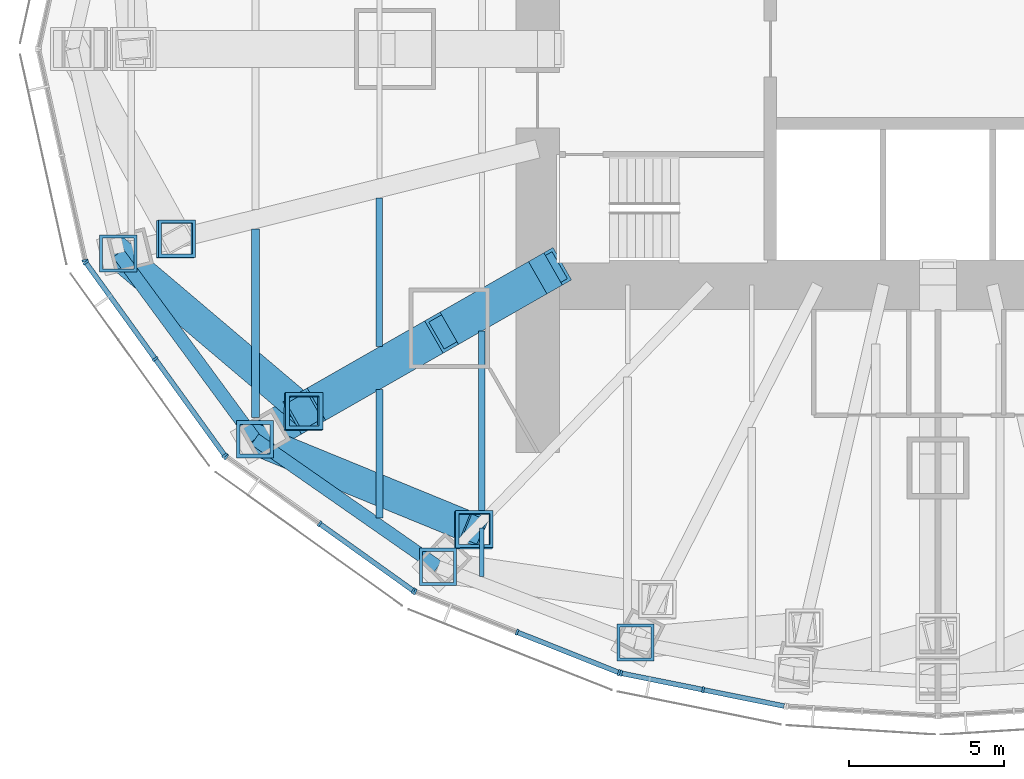
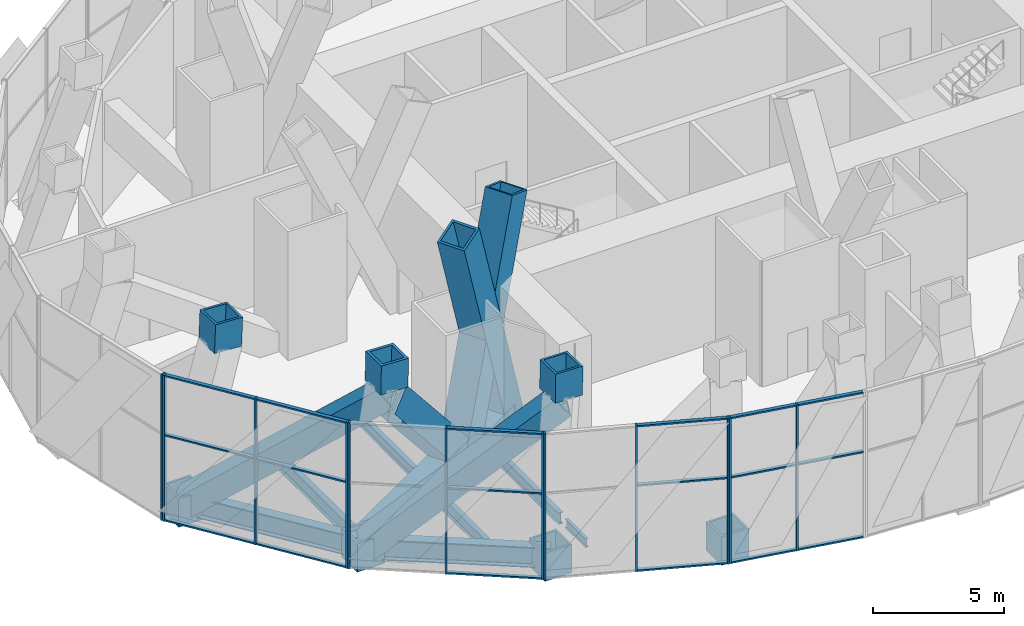
# One storey, part 2 of 19: 42 members, 9 beams, 5 elements without a shape of their own.
"""IFC4 building model written with IfcOpenShell, lengths in metres."""

import ifcopenshell
import ifcopenshell.guid

model = None  # the IFC model being written
_history = None  # IfcOwnerHistory: only IFC2X3 demands one
_inside = {}  # id of a spatial element -> (the spatial element, [elements in it])
_under = {}  # id of a project, library or spatial element -> (it, [spatial elements below it])
_declared = {}  # id of a project -> (the project, [libraries it declares])
_typed = {}  # id of a type object -> (the type object, [elements of that type])
_made_of = {}  # id of a material, layer set ... -> (it, [elements and type objects made of it])


def new_model(schema):
    """Start an empty IFC model of exactly this schema.

    Asked for "IFC4X3", IfcOpenShell would pick the latest addendum, in which some entities
    have other attributes; the version numbers below select the first issue.
    IFC2X3 requires an IfcOwnerHistory on every rooted entity: one is made here for all.
    """
    global model, _history
    if schema == "IFC4X3":
        model = ifcopenshell.file(schema_version=(4, 3, 0, 0))
    else:
        model = ifcopenshell.file(schema=schema)
    _inside.clear()
    _under.clear()
    _declared.clear()
    _typed.clear()
    _made_of.clear()
    _history = None
    if model.schema == "IFC2X3":
        org = make("IfcOrganization", Name="unknown")
        user = make(
            "IfcPersonAndOrganization",
            ThePerson=make("IfcPerson", FamilyName="unknown"),
            TheOrganization=org,
        )
        app = make(
            "IfcApplication",
            ApplicationDeveloper=org,
            Version="unknown",
            ApplicationFullName="unknown",
            ApplicationIdentifier="unknown",
        )
        _history = make(
            "IfcOwnerHistory",
            OwningUser=user,
            OwningApplication=app,
            ChangeAction="ADDED",
            CreationDate=0,
        )
    return model


def make(cls, **values):
    """One entity of the class cls with the attributes given. An attribute that is None is left unset."""
    return model.create_entity(
        cls, **{name: value for name, value in values.items() if value is not None}
    )


def rooted(cls, **values):
    """An entity with a GlobalId (a new one), such as an element, a storey or a relation."""
    return make(cls, GlobalId=ifcopenshell.guid.new(), OwnerHistory=_history, **values)


def si_unit(unit_type, name, prefix=None):
    """IfcSIUnit, for example si_unit("LENGTHUNIT", "METRE", prefix="MILLI")."""
    return make("IfcSIUnit", UnitType=unit_type, Prefix=prefix, Name=name)


def assignment(units):
    """IfcUnitAssignment: the units of a project."""
    return None if units is None else make("IfcUnitAssignment", Units=units)


def point(xyz):
    """IfcCartesianPoint."""
    return None if xyz is None else make("IfcCartesianPoint", Coordinates=xyz)


def direction(xyz):
    """IfcDirection."""
    return None if xyz is None else make("IfcDirection", DirectionRatios=xyz)


def frame(location, z_axis=None, x_axis=None):
    """IfcAxis2Placement3D, a coordinate frame: its origin and axes. An axis left out is left unset."""
    return make(
        "IfcAxis2Placement3D",
        Location=point(location),
        Axis=direction(z_axis),
        RefDirection=direction(x_axis),
    )


def frame_2d(location, x_axis=None):
    """IfcAxis2Placement2D, a coordinate frame in the plane: its origin and x axis."""
    return make(
        "IfcAxis2Placement2D", Location=point(location), RefDirection=direction(x_axis)
    )


def origin():
    """The frame at (0, 0, 0) with its axes left unset."""
    return frame((0.0, 0.0, 0.0))


def origin_2d():
    """The frame at (0, 0) in the plane with its x axis left unset."""
    return frame_2d((0.0, 0.0))


def place(relative_to, where):
    """IfcLocalPlacement: puts the frame where relative to a parent placement (None: the world)."""
    return make(
        "IfcLocalPlacement", PlacementRelTo=relative_to, RelativePlacement=where
    )


def context(
    kind, dimensions, precision=None, world=None, true_north=None, identifier=None
):
    """IfcGeometricRepresentationContext, for example the 3D "Model" context."""
    return make(
        "IfcGeometricRepresentationContext",
        ContextIdentifier=identifier,
        ContextType=kind,
        CoordinateSpaceDimension=dimensions,
        Precision=precision,
        WorldCoordinateSystem=world,
        TrueNorth=true_north,
    )


def subcontext(parent, identifier, kind, view, scale=None):
    """IfcGeometricRepresentationSubContext, for example "Body" below "Model"."""
    return make(
        "IfcGeometricRepresentationSubContext",
        ContextIdentifier=identifier,
        ContextType=kind,
        ParentContext=parent,
        TargetScale=scale,
        TargetView=view,
    )


def project(units=None, contexts=None):
    """IfcProject with its units and contexts."""
    return rooted(
        "IfcProject",
        Name="project",
        RepresentationContexts=contexts,
        UnitsInContext=assignment(units),
    )


def spatial(cls, under=None, at=None, **own):
    """A site, building, storey or space (cls), placed at a placement, below another one or the project."""
    s = rooted(cls, ObjectPlacement=at, **own)
    if under is not None:
        _under.setdefault(under.id(), (under, []))[1].append(s)
    return s


def profile(cls, at=None, kind="AREA", **sizes):
    """A parametric profile (cls). Its sizes go by their IFC names, for example OverallWidth=200.0."""
    return make(cls, ProfileType=kind, Position=at, **sizes)


def rectangle(**sizes):
    """IfcRectangleProfileDef."""
    return profile("IfcRectangleProfileDef", **sizes)


def hollow_rectangle(**sizes):
    """IfcRectangleHollowProfileDef."""
    return profile("IfcRectangleHollowProfileDef", **sizes)


def i_section(**sizes):
    """IfcIShapeProfileDef."""
    return profile("IfcIShapeProfileDef", **sizes)


def extrude(swept, where, along, depth):
    """IfcExtrudedAreaSolid: the profile swept, set in the frame where, extruded along a direction by depth."""
    return make(
        "IfcExtrudedAreaSolid",
        SweptArea=swept,
        Position=where,
        ExtrudedDirection=direction(along),
        Depth=depth,
    )


def shape(context_of_items, identifier, shape_type, items):
    """IfcShapeRepresentation: the items that make up one representation, for example the "Body"."""
    return make(
        "IfcShapeRepresentation",
        ContextOfItems=context_of_items,
        RepresentationIdentifier=identifier,
        RepresentationType=shape_type,
        Items=items,
    )


def material(Name=None, Category=None):
    """IfcMaterial."""
    return make("IfcMaterial", Name=Name, Category=Category)


def material_profile(
    of_material, cross_section, Name=None, Category=None, Priority=None
):
    """IfcMaterialProfile: a cross section and its material."""
    return make(
        "IfcMaterialProfile",
        Name=Name,
        Material=of_material,
        Profile=cross_section,
        Priority=Priority,
        Category=Category,
    )


def profile_set(profiles, Name=None, composite=None):
    """IfcMaterialProfileSet."""
    return make(
        "IfcMaterialProfileSet",
        Name=Name,
        MaterialProfiles=profiles,
        CompositeProfile=composite,
    )


def made_of(thing, what):
    """Note that an element or type object is made of a material, layer set ...; save() writes the relation."""
    if what is not None:
        _made_of.setdefault(what.id(), (what, []))[1].append(thing)
    return thing


def type_object(cls, material=None, **own):
    """A type object (cls), such as IfcWallType, which elements share."""
    return made_of(rooted(cls, **own), material)


def element(
    cls,
    number,
    at=None,
    inside=None,
    cuts=None,
    type_object=None,
    material=None,
    context=None,
    identifier="Body",
    shape_type=None,
    held_by="IfcProductDefinitionShape",
    body=None,
    shapes=None,
    **own,
):
    """One element of the class cls, such as IfcWall. Its Tag is "e" and its number.

    at: its placement. inside: the storey or other place that contains it. cuts: it is an
    opening in that element (IfcRelVoidsElement). A single representation is given by context,
    identifier, shape_type and body (its items); several are given by shapes. held_by: the class
    of the entity that holds the representations. save() writes the other relations.
    """
    e = rooted(cls, Tag="e%d" % number, ObjectPlacement=at, **own)
    if body is not None:
        shapes = [shape(context, identifier, shape_type, body)]
    if shapes is not None:
        e.Representation = make(held_by, Representations=shapes)
    if inside is not None:
        _inside.setdefault(inside.id(), (inside, []))[1].append(e)
    if cuts is not None:
        rooted(
            "IfcRelVoidsElement", RelatingBuildingElement=cuts, RelatedOpeningElement=e
        )
    if type_object is not None:
        _typed.setdefault(type_object.id(), (type_object, []))[1].append(e)
    return made_of(e, material)


def aggregate(whole, parts):
    """IfcRelAggregates: a whole, such as a stair, and the parts it consists of."""
    return rooted("IfcRelAggregates", RelatingObject=whole, RelatedObjects=parts)


def save(model, path):
    """Write the relations noted so far, then the file.

    IfcRelAggregates (storeys below a building ...), IfcRelContainedInSpatialStructure (elements
    in a storey), IfcRelDefinesByType, IfcRelAssociatesMaterial and IfcRelDeclares: one each for
    every whole, place, type object, material and project.
    """
    for whole, parts in _under.values():
        aggregate(whole, parts)
    for where, things in _inside.values():
        rooted(
            "IfcRelContainedInSpatialStructure",
            RelatedElements=things,
            RelatingStructure=where,
        )
    for kind, things in _typed.values():
        rooted("IfcRelDefinesByType", RelatedObjects=things, RelatingType=kind)
    for what, things in _made_of.values():
        rooted("IfcRelAssociatesMaterial", RelatedObjects=things, RelatingMaterial=what)
    for by, libraries in _declared.values():
        rooted("IfcRelDeclares", RelatingContext=by, RelatedDefinitions=libraries)
    model.write(path)


model = new_model("IFC4")

# Units and contexts
model_context = context("Model", 3, precision=1e-05, world=origin(), true_north=direction((0.0, 1.0)))
body_context = subcontext(model_context, "Body", "Model", "MODEL_VIEW")
ifc_project = project(units=[si_unit("LENGTHUNIT", "METRE"), si_unit("AREAUNIT", "SQUARE_METRE"), si_unit("VOLUMEUNIT", "CUBIC_METRE"), si_unit("PLANEANGLEUNIT", "RADIAN"), si_unit("MASSUNIT", "GRAM", prefix="KILO")], contexts=[model_context])

# Site, building, storey
site_placement = place(None, origin())
site = spatial("IfcSite", under=ifc_project, at=site_placement, CompositionType="ELEMENT")
building_placement = place(site_placement, origin())
building = spatial("IfcBuilding", under=site, at=building_placement, Name="Lantaw Convention Tower", CompositionType="ELEMENT")
storey_placement = place(building_placement, frame((0.0, 0.0, 193.0)))
storey = spatial("IfcBuildingStorey", under=building, at=storey_placement, Name="L45", CompositionType="ELEMENT", Elevation=193.0)

# Beams
ifc_material_1 = material(Name="Steel ASTM A992", Category="steel")
ifc_material_profile_1 = material_profile(ifc_material_1, i_section(OverallWidth=0.424072265625, OverallDepth=0.947509765625, WebThickness=0.02392578125, FlangeThickness=0.042724609375, FilletRadius=0.012451171875, at=origin_2d()), Name="W36X302")
ifc_profile_set_1 = profile_set([ifc_material_profile_1], Name="Steel ASTM A992")
beam_type_1 = type_object("IfcBeamType", Name="Beam BC W36X302", PredefinedType="SPANDREL", material=ifc_profile_set_1)
beam_1_placement = place(storey_placement, frame((-26.419921875, -6.587158203125, -0.673828125), z_axis=(0.5923891972, -0.805651934176, 0.0), x_axis=(0.805651934176, 0.5923891972, 0.0)))
element("IfcBeam", 1, at=beam_1_placement, inside=storey, type_object=beam_type_1, Name="Belt truss chord 14", PredefinedType="SPANDREL", context=body_context, shape_type="SweptSolid", body=[
    extrude(i_section(OverallWidth=0.424072265625, OverallDepth=0.947509765625, WebThickness=0.02392578125, FlangeThickness=0.042724609375, FilletRadius=0.012451171875, at=origin_2d()), origin(), (0.0, 0.0, 1.0), 7.437744140625),
])
beam_2_placement = place(storey_placement, frame((-22.013916015625, -12.579345703125, -0.673828125), z_axis=(0.820310765287, -0.57191804339, 0.0), x_axis=(0.57191804339, 0.820310765287, 0.0)))
element("IfcBeam", 2, at=beam_2_placement, inside=storey, type_object=beam_type_1, Name="Belt truss chord 15", PredefinedType="SPANDREL", context=body_context, shape_type="SweptSolid", body=[
    extrude(i_section(OverallWidth=0.424072265625, OverallDepth=0.947509765625, WebThickness=0.02392578125, FlangeThickness=0.042724609375, FilletRadius=0.012451171875, at=origin_2d()), origin(), (0.0, 0.0, 1.0), 7.187744140625),
])
ifc_material_2 = material(Name="Steel EN 10025-3 S460N", Category="steel")
ifc_material_profile_2 = material_profile(ifc_material_2, hollow_rectangle(XDim=1.199951171875, YDim=1.199951171875, WallThickness=0.10009765625, at=origin_2d()), Name="BOX1200X100")
ifc_profile_set_2 = profile_set([ifc_material_profile_2], Name="Steel EN 10025-3 S460N")
beam_type_2 = type_object("IfcBeamType", Name="Beam G BOX1200X100", PredefinedType="BEAM", material=ifc_profile_set_2)
beam_3_placement = place(storey_placement, frame((-15.75, -9.0, -0.800048828125), z_axis=(-0.868245224608, -0.496135293993, 0.0), x_axis=(0.496135293993, -0.868245224608, 0.0)))
element("IfcBeam", 3, at=beam_3_placement, inside=storey, type_object=beam_type_2, Name="Floor girder on ray 15", PredefinedType="BEAM", context=body_context, shape_type="SweptSolid", body=[
    extrude(hollow_rectangle(XDim=1.199951171875, YDim=1.199951171875, WallThickness=0.10009765625, at=origin_2d()), origin(), (0.0, 0.0, 1.0), 7.21435546875),
])
ifc_material_profile_3 = material_profile(ifc_material_1, i_section(OverallWidth=0.140380859375, OverallDepth=0.40380859375, WebThickness=0.007080078125, FlangeThickness=0.01123046875, FilletRadius=0.01025390625, at=origin_2d()), Name="W16X31")
ifc_profile_set_3 = profile_set([ifc_material_profile_3], Name="Steel ASTM A992")
beam_type_3 = type_object("IfcBeamType", Name="Beam J W16X31", PredefinedType="JOIST", material=ifc_profile_set_3)
beam_4_placement = place(storey_placement, frame((-14.699951171875, -17.0068359375, -0.40185546875), z_axis=(0.0, 1.0, 0.0), x_axis=(-1.0, 0.0, 0.0)))
element("IfcBeam", 4, at=beam_4_placement, inside=storey, type_object=beam_type_3, Name="Floor joist", PredefinedType="JOIST", context=body_context, shape_type="SweptSolid", body=[
    extrude(i_section(OverallWidth=0.140380859375, OverallDepth=0.40380859375, WebThickness=0.007080078125, FlangeThickness=0.01123046875, FilletRadius=0.01025390625, at=origin_2d()), origin(), (0.0, 0.0, 1.0), 1.563232421875),
])
ifc_material_profile_4 = material_profile(ifc_material_1, i_section(OverallWidth=0.2099609375, OverallDepth=0.535888671875, WebThickness=0.010986328125, FlangeThickness=0.017333984375, FilletRadius=0.012939453125, at=origin_2d()), Name="W21X68")
ifc_profile_set_4 = profile_set([ifc_material_profile_4], Name="Steel ASTM A992")
beam_type_4 = type_object("IfcBeamType", Name="Beam J W21X68", PredefinedType="JOIST", material=ifc_profile_set_4)
beam_5_placement = place(storey_placement, frame((-18.0, -9.5947265625, -0.468017578125), z_axis=(0.0, 1.0, 0.0), x_axis=(-1.0, 0.0, 0.0)))
element("IfcBeam", 5, at=beam_5_placement, inside=storey, type_object=beam_type_4, Name="Floor joist", PredefinedType="JOIST", context=body_context, shape_type="SweptSolid", body=[
    extrude(i_section(OverallWidth=0.2099609375, OverallDepth=0.535888671875, WebThickness=0.010986328125, FlangeThickness=0.017333984375, FilletRadius=0.012939453125, at=origin_2d()), origin(), (0.0, 0.0, 1.0), 4.797607421875),
])
beam_6_placement = place(storey_placement, frame((-14.699951171875, -15.0009765625, -0.468017578125), z_axis=(0.0, 1.0, 0.0), x_axis=(-1.0, 0.0, 0.0)))
element("IfcBeam", 6, at=beam_6_placement, inside=storey, type_object=beam_type_4, Name="Floor joist", PredefinedType="JOIST", context=body_context, shape_type="SweptSolid", body=[
    extrude(i_section(OverallWidth=0.2099609375, OverallDepth=0.535888671875, WebThickness=0.010986328125, FlangeThickness=0.017333984375, FilletRadius=0.012939453125, at=origin_2d()), origin(), (0.0, 0.0, 1.0), 5.909912109375),
])
ifc_material_profile_5 = material_profile(ifc_material_1, i_section(OverallWidth=0.227783203125, OverallDepth=0.60205078125, WebThickness=0.010498046875, FlangeThickness=0.014892578125, FilletRadius=0.012939453125, at=origin_2d()), Name="W24X68")
ifc_profile_set_5 = profile_set([ifc_material_profile_5], Name="Steel ASTM A992")
beam_type_5 = type_object("IfcBeamType", Name="Beam J W24X68", PredefinedType="JOIST", material=ifc_profile_set_5)
beam_7_placement = place(storey_placement, frame((-18.0, -15.119384765625, -0.5009765625), z_axis=(0.0, 1.0, 0.0), x_axis=(-1.0, 0.0, 0.0)))
element("IfcBeam", 7, at=beam_7_placement, inside=storey, type_object=beam_type_5, Name="Floor joist", PredefinedType="JOIST", context=body_context, shape_type="SweptSolid", body=[
    extrude(i_section(OverallWidth=0.227783203125, OverallDepth=0.60205078125, WebThickness=0.010498046875, FlangeThickness=0.014892578125, FilletRadius=0.012939453125, at=origin_2d()), origin(), (0.0, 0.0, 1.0), 4.142578125),
])
ifc_material_profile_6 = material_profile(ifc_material_1, i_section(OverallWidth=0.25390625, OverallDepth=0.683349609375, WebThickness=0.012451171875, FlangeThickness=0.01904296875, FilletRadius=0.01513671875, at=origin_2d()), Name="W27X94")
ifc_profile_set_6 = profile_set([ifc_material_profile_6], Name="Steel ASTM A992")
beam_type_6 = type_object("IfcBeamType", Name="Beam J W27X94", PredefinedType="JOIST", material=ifc_profile_set_6)
beam_8_placement = place(storey_placement, frame((-22.0, -11.88037109375, -0.541748046875), z_axis=(0.0, 1.0, 0.0), x_axis=(-1.0, 0.0, 0.0)))
element("IfcBeam", 8, at=beam_8_placement, inside=storey, type_object=beam_type_6, Name="Floor joist", PredefinedType="JOIST", context=body_context, shape_type="SweptSolid", body=[
    extrude(i_section(OverallWidth=0.25390625, OverallDepth=0.683349609375, WebThickness=0.012451171875, FlangeThickness=0.01904296875, FilletRadius=0.01513671875, at=origin_2d()), origin(), (0.0, 0.0, 1.0), 6.0859375),
])
ifc_material_profile_7 = material_profile(ifc_material_2, hollow_rectangle(XDim=1.199951171875, YDim=1.199951171875, WallThickness=0.10009765625, at=origin_2d()), Name="BOX1200X100")
ifc_profile_set_7 = profile_set([ifc_material_profile_7], Name="Steel EN 10025-3 S460N")
beam_type_7 = type_object("IfcBeamType", Name="Beam OC BOX1200X100", PredefinedType="BEAM", material=ifc_profile_set_7)
beam_9_placement = place(storey_placement, frame((-12.89990234375, -7.371337890625, -0.800048828125), z_axis=(-0.868238565244, -0.496146947811, 0.0), x_axis=(0.496146947811, -0.868238565244, 0.0)))
element("IfcBeam", 9, at=beam_9_placement, inside=storey, type_object=beam_type_7, Name="Outrigger chord on ray 15", PredefinedType="BEAM", context=body_context, shape_type="SweptSolid", body=[
    extrude(hollow_rectangle(XDim=1.199951171875, YDim=1.199951171875, WallThickness=0.10009765625, at=origin_2d()), origin(), (0.0, 0.0, 1.0), 3.28271484375),
])

# Curtain wall, member
ifc_material_3 = material(Name="Aluminium framed curtain wall", Category="aluminium")
curtain_wall_type = type_object("IfcCurtainWallType", Name="Plant floor louvre wall, pale aluminium", PredefinedType="USERDEFINED", material=ifc_material_3)
curtain_wall_1_placement = place(storey_placement, origin())
curtain_wall_1 = element("IfcCurtainWall", 10, at=curtain_wall_1_placement, inside=storey, type_object=curtain_wall_type, Name="Plant floor louvre wall, pale aluminium L45", ObjectType="LOUVRE WALL", PredefinedType="USERDEFINED")
ifc_material_4 = material(Name="Aluminium 6063-T6", Category="aluminium")
ifc_material_profile_8 = material_profile(ifc_material_4, rectangle(XDim=0.199951171875, YDim=0.070068359375, at=origin_2d()), Name="CW-LV mullion 70x200")
ifc_profile_set_8 = profile_set([ifc_material_profile_8], Name="Aluminium 6063-T6")
member_type_1 = type_object("IfcMemberType", Name="CW-LV mullion 70x200", PredefinedType="MULLION", material=ifc_profile_set_8)
member_1_placement = place(storey_placement, frame((-27.494873046875, -6.819091796875, -1.0), z_axis=(0.0, 0.0, 1.0), x_axis=(0.9764936509, 0.215546166174, 0.0)))
member_1 = element("IfcMember", 11, at=member_1_placement, type_object=member_type_1, Name="CW-LV mullion 3", PredefinedType="MULLION", context=body_context, shape_type="SweptSolid", body=[
    extrude(rectangle(XDim=0.199951171875, YDim=0.070068359375, at=origin_2d()), origin(), (0.0, 0.0, 1.0), 6.800048828125),
])
aggregate(curtain_wall_1, [member_1])

# Curtain wall, members
curtain_wall_2_placement = place(storey_placement, origin())
curtain_wall_2 = element("IfcCurtainWall", 12, at=curtain_wall_2_placement, inside=storey, type_object=curtain_wall_type, Name="Plant floor louvre wall, pale aluminium L45", ObjectType="LOUVRE WALL", PredefinedType="USERDEFINED")
member_2_placement = place(storey_placement, frame((-27.466796875, -6.8818359375, -1.0), z_axis=(0.0, 0.0, 1.0), x_axis=(0.811384633629, 0.584512597221, 0.0)))
member_2 = element("IfcMember", 13, at=member_2_placement, type_object=member_type_1, Name="CW-LV mullion 1", PredefinedType="MULLION", context=body_context, shape_type="SweptSolid", body=[
    extrude(rectangle(XDim=0.199951171875, YDim=0.070068359375, at=origin_2d()), origin(), (0.0, 0.0, 1.0), 6.800048828125),
])
member_3_placement = place(storey_placement, frame((-25.22802734375, -9.9892578125, -1.0), z_axis=(0.0, 0.0, 1.0), x_axis=(0.811384633629, 0.584512597221, 0.0)))
member_3 = element("IfcMember", 14, at=member_3_placement, type_object=member_type_1, Name="CW-LV mullion 2", PredefinedType="MULLION", context=body_context, shape_type="SweptSolid", body=[
    extrude(rectangle(XDim=0.199951171875, YDim=0.070068359375, at=origin_2d()), origin(), (0.0, 0.0, 1.0), 6.800048828125),
])
member_4_placement = place(storey_placement, frame((-22.989501953125, -13.0966796875, -1.0), z_axis=(0.0, 0.0, 1.0), x_axis=(0.811384633629, 0.584512597221, 0.0)))
member_4 = element("IfcMember", 15, at=member_4_placement, type_object=member_type_1, Name="CW-LV mullion 3", PredefinedType="MULLION", context=body_context, shape_type="SweptSolid", body=[
    extrude(rectangle(XDim=0.199951171875, YDim=0.070068359375, at=origin_2d()), origin(), (0.0, 0.0, 1.0), 6.800048828125),
])

curtain_wall_3_placement = place(storey_placement, origin())
curtain_wall_3 = element("IfcCurtainWall", 16, at=curtain_wall_3_placement, inside=storey, type_object=curtain_wall_type, Name="Plant floor louvre wall, pale aluminium L45", ObjectType="LOUVRE WALL", PredefinedType="USERDEFINED")
member_5_placement = place(storey_placement, frame((-22.940673828125, -13.1455078125, -1.0), z_axis=(0.0, 0.0, 1.0), x_axis=(0.581972695693, 0.813208325995, 0.0)))
member_5 = element("IfcMember", 17, at=member_5_placement, type_object=member_type_1, Name="CW-LV mullion 1", PredefinedType="MULLION", context=body_context, shape_type="SweptSolid", body=[
    extrude(rectangle(XDim=0.199951171875, YDim=0.070068359375, at=origin_2d()), origin(), (0.0, 0.0, 1.0), 6.800048828125),
])
member_6_placement = place(storey_placement, frame((-19.92529296875, -15.303466796875, -1.0), z_axis=(0.0, 0.0, 1.0), x_axis=(0.581972695693, 0.813208325995, 0.0)))
member_6 = element("IfcMember", 18, at=member_6_placement, type_object=member_type_1, Name="CW-LV mullion 2", PredefinedType="MULLION", context=body_context, shape_type="SweptSolid", body=[
    extrude(rectangle(XDim=0.199951171875, YDim=0.070068359375, at=origin_2d()), origin(), (0.0, 0.0, 1.0), 6.800048828125),
])
member_7_placement = place(storey_placement, frame((-16.91015625, -17.461181640625, -1.0), z_axis=(0.0, 0.0, 1.0), x_axis=(0.581972695693, 0.813208325995, 0.0)))
member_7 = element("IfcMember", 19, at=member_7_placement, type_object=member_type_1, Name="CW-LV mullion 3", PredefinedType="MULLION", context=body_context, shape_type="SweptSolid", body=[
    extrude(rectangle(XDim=0.199951171875, YDim=0.070068359375, at=origin_2d()), origin(), (0.0, 0.0, 1.0), 6.800048828125),
])

curtain_wall_4_placement = place(storey_placement, origin())
curtain_wall_4 = element("IfcCurtainWall", 20, at=curtain_wall_4_placement, inside=storey, type_object=curtain_wall_type, Name="Plant floor louvre wall, pale aluminium L45", ObjectType="LOUVRE WALL", PredefinedType="USERDEFINED")
member_8_placement = place(storey_placement, frame((-16.84912109375, -17.494384765625, -1.0), z_axis=(0.0, 0.0, 1.0), x_axis=(0.368701907483, 0.929547687544, 0.0)))
member_8 = element("IfcMember", 21, at=member_8_placement, type_object=member_type_1, Name="CW-LV mullion 1", PredefinedType="MULLION", context=body_context, shape_type="SweptSolid", body=[
    extrude(rectangle(XDim=0.199951171875, YDim=0.070068359375, at=origin_2d()), origin(), (0.0, 0.0, 1.0), 6.800048828125),
])
member_9_placement = place(storey_placement, frame((-13.56494140625, -18.797119140625, -1.0), z_axis=(0.0, 0.0, 1.0), x_axis=(0.368701907483, 0.929547687544, 0.0)))
member_9 = element("IfcMember", 22, at=member_9_placement, type_object=member_type_1, Name="CW-LV mullion 2", PredefinedType="MULLION", context=body_context, shape_type="SweptSolid", body=[
    extrude(rectangle(XDim=0.199951171875, YDim=0.070068359375, at=origin_2d()), origin(), (0.0, 0.0, 1.0), 6.800048828125),
])
member_10_placement = place(storey_placement, frame((-10.280517578125, -20.099853515625, -1.0), z_axis=(0.0, 0.0, 1.0), x_axis=(0.368701907483, 0.929547687544, 0.0)))
member_10 = element("IfcMember", 23, at=member_10_placement, type_object=member_type_1, Name="CW-LV mullion 3", PredefinedType="MULLION", context=body_context, shape_type="SweptSolid", body=[
    extrude(rectangle(XDim=0.199951171875, YDim=0.070068359375, at=origin_2d()), origin(), (0.0, 0.0, 1.0), 6.800048828125),
])

curtain_wall_5_placement = place(storey_placement, origin())
curtain_wall_5 = element("IfcCurtainWall", 24, at=curtain_wall_5_placement, inside=storey, type_object=curtain_wall_type, Name="Plant floor louvre wall, pale aluminium L45", ObjectType="LOUVRE WALL", PredefinedType="USERDEFINED")
member_11_placement = place(storey_placement, frame((-10.213623046875, -20.11962890625, -1.0), z_axis=(0.0, 0.0, 1.0), x_axis=(0.197506809659, 0.980301514912, 0.0)))
member_11 = element("IfcMember", 25, at=member_11_placement, type_object=member_type_1, Name="CW-LV mullion 1", PredefinedType="MULLION", context=body_context, shape_type="SweptSolid", body=[
    extrude(rectangle(XDim=0.199951171875, YDim=0.070068359375, at=origin_2d()), origin(), (0.0, 0.0, 1.0), 6.800048828125),
])
member_12_placement = place(storey_placement, frame((-7.5703125, -20.65234375, -1.0), z_axis=(0.0, 0.0, 1.0), x_axis=(0.197506809659, 0.980301514912, 0.0)))
member_12 = element("IfcMember", 26, at=member_12_placement, type_object=member_type_1, Name="CW-LV mullion 2", PredefinedType="MULLION", context=body_context, shape_type="SweptSolid", body=[
    extrude(rectangle(XDim=0.199951171875, YDim=0.070068359375, at=origin_2d()), origin(), (0.0, 0.0, 1.0), 6.800048828125),
])

# Member
ifc_material_profile_9 = material_profile(ifc_material_4, rectangle(XDim=0.159912109375, YDim=0.070068359375, at=origin_2d()), Name="CW-LV transom 70x160")
ifc_profile_set_9 = profile_set([ifc_material_profile_9], Name="Aluminium 6063-T6")
member_type_2 = type_object("IfcMemberType", Name="CW-LV transom 70x160", PredefinedType="USERDEFINED", material=ifc_profile_set_9)
member_13_placement = place(storey_placement, frame((-27.4462890625, -6.91015625, -0.965087890625), z_axis=(0.584513390493, -0.811384062164, 0.0), x_axis=(0.811384062164, 0.584513390493, 0.0)))
member_13 = element("IfcMember", 27, at=member_13_placement, type_object=member_type_2, Name="CW-LV transom 1.1", ObjectType="TRANSOM", PredefinedType="USERDEFINED", context=body_context, shape_type="SweptSolid", body=[
    extrude(rectangle(XDim=0.159912109375, YDim=0.070068359375, at=origin_2d()), origin(), (0.0, 0.0, 1.0), 3.760009765625),
])

member_14_placement = place(storey_placement, frame((-27.4462890625, -6.91015625, 3.0), z_axis=(0.584513390493, -0.811384062164, 0.0), x_axis=(0.811384062164, 0.584513390493, 0.0)))
member_14 = element("IfcMember", 28, at=member_14_placement, type_object=member_type_2, Name="CW-LV transom 1.2", ObjectType="TRANSOM", PredefinedType="USERDEFINED", context=body_context, shape_type="SweptSolid", body=[
    extrude(rectangle(XDim=0.159912109375, YDim=0.070068359375, at=origin_2d()), origin(), (0.0, 0.0, 1.0), 3.760009765625),
])

member_15_placement = place(storey_placement, frame((-27.4462890625, -6.91015625, 5.764892578125), z_axis=(0.584513390493, -0.811384062164, 0.0), x_axis=(0.811384062164, 0.584513390493, 0.0)))
member_15 = element("IfcMember", 29, at=member_15_placement, type_object=member_type_2, Name="CW-LV transom 1.3", ObjectType="TRANSOM", PredefinedType="USERDEFINED", context=body_context, shape_type="SweptSolid", body=[
    extrude(rectangle(XDim=0.159912109375, YDim=0.070068359375, at=origin_2d()), origin(), (0.0, 0.0, 1.0), 3.760009765625),
])

member_16_placement = place(storey_placement, frame((-25.207763671875, -10.017578125, -0.965087890625), z_axis=(0.584513390493, -0.811384062164, 0.0), x_axis=(0.811384062164, 0.584513390493, 0.0)))
member_16 = element("IfcMember", 30, at=member_16_placement, type_object=member_type_2, Name="CW-LV transom 2.1", ObjectType="TRANSOM", PredefinedType="USERDEFINED", context=body_context, shape_type="SweptSolid", body=[
    extrude(rectangle(XDim=0.159912109375, YDim=0.070068359375, at=origin_2d()), origin(), (0.0, 0.0, 1.0), 3.760009765625),
])

member_17_placement = place(storey_placement, frame((-25.207763671875, -10.017578125, 3.0), z_axis=(0.584513390493, -0.811384062164, 0.0), x_axis=(0.811384062164, 0.584513390493, 0.0)))
member_17 = element("IfcMember", 31, at=member_17_placement, type_object=member_type_2, Name="CW-LV transom 2.2", ObjectType="TRANSOM", PredefinedType="USERDEFINED", context=body_context, shape_type="SweptSolid", body=[
    extrude(rectangle(XDim=0.159912109375, YDim=0.070068359375, at=origin_2d()), origin(), (0.0, 0.0, 1.0), 3.760009765625),
])

member_18_placement = place(storey_placement, frame((-25.207763671875, -10.017578125, 5.764892578125), z_axis=(0.584513390493, -0.811384062164, 0.0), x_axis=(0.811384062164, 0.584513390493, 0.0)))
member_18 = element("IfcMember", 32, at=member_18_placement, type_object=member_type_2, Name="CW-LV transom 2.3", ObjectType="TRANSOM", PredefinedType="USERDEFINED", context=body_context, shape_type="SweptSolid", body=[
    extrude(rectangle(XDim=0.159912109375, YDim=0.070068359375, at=origin_2d()), origin(), (0.0, 0.0, 1.0), 3.760009765625),
])

aggregate(curtain_wall_2, [member_2, member_3, member_4, member_13, member_14, member_15, member_16, member_17, member_18])

member_19_placement = place(storey_placement, frame((-19.89697265625, -15.32373046875, -0.965087890625), z_axis=(0.813193505493, -0.581993404278, 0.0), x_axis=(0.581993404278, 0.813193505493, 0.0)))
member_19 = element("IfcMember", 33, at=member_19_placement, type_object=member_type_2, Name="CW-LV transom 2.1", ObjectType="TRANSOM", PredefinedType="USERDEFINED", context=body_context, shape_type="SweptSolid", body=[
    extrude(rectangle(XDim=0.159912109375, YDim=0.070068359375, at=origin_2d()), origin(), (0.0, 0.0, 1.0), 3.637939453125),
])

member_20_placement = place(storey_placement, frame((-19.89697265625, -15.32373046875, 3.0), z_axis=(0.813193505493, -0.581993404278, 0.0), x_axis=(0.581993404278, 0.813193505493, 0.0)))
member_20 = element("IfcMember", 34, at=member_20_placement, type_object=member_type_2, Name="CW-LV transom 2.2", ObjectType="TRANSOM", PredefinedType="USERDEFINED", context=body_context, shape_type="SweptSolid", body=[
    extrude(rectangle(XDim=0.159912109375, YDim=0.070068359375, at=origin_2d()), origin(), (0.0, 0.0, 1.0), 3.637939453125),
])

member_21_placement = place(storey_placement, frame((-19.89697265625, -15.32373046875, 5.764892578125), z_axis=(0.813193505493, -0.581993404278, 0.0), x_axis=(0.581993404278, 0.813193505493, 0.0)))
member_21 = element("IfcMember", 35, at=member_21_placement, type_object=member_type_2, Name="CW-LV transom 2.3", ObjectType="TRANSOM", PredefinedType="USERDEFINED", context=body_context, shape_type="SweptSolid", body=[
    extrude(rectangle(XDim=0.159912109375, YDim=0.070068359375, at=origin_2d()), origin(), (0.0, 0.0, 1.0), 3.637939453125),
])

aggregate(curtain_wall_3, [member_5, member_6, member_7, member_19, member_20, member_21])

member_22_placement = place(storey_placement, frame((-13.5322265625, -18.81005859375, -0.965087890625), z_axis=(0.929552078691, -0.368690836611, 0.0), x_axis=(0.368690836611, 0.929552078691, 0.0)))
member_22 = element("IfcMember", 36, at=member_22_placement, type_object=member_type_2, Name="CW-LV transom 2.1", ObjectType="TRANSOM", PredefinedType="USERDEFINED", context=body_context, shape_type="SweptSolid", body=[
    extrude(rectangle(XDim=0.159912109375, YDim=0.070068359375, at=origin_2d()), origin(), (0.0, 0.0, 1.0), 3.463134765625),
])

member_23_placement = place(storey_placement, frame((-13.5322265625, -18.81005859375, 3.0), z_axis=(0.929552078691, -0.368690836611, 0.0), x_axis=(0.368690836611, 0.929552078691, 0.0)))
member_23 = element("IfcMember", 37, at=member_23_placement, type_object=member_type_2, Name="CW-LV transom 2.2", ObjectType="TRANSOM", PredefinedType="USERDEFINED", context=body_context, shape_type="SweptSolid", body=[
    extrude(rectangle(XDim=0.159912109375, YDim=0.070068359375, at=origin_2d()), origin(), (0.0, 0.0, 1.0), 3.463134765625),
])

member_24_placement = place(storey_placement, frame((-13.5322265625, -18.81005859375, 5.764892578125), z_axis=(0.929552078691, -0.368690836611, 0.0), x_axis=(0.368690836611, 0.929552078691, 0.0)))
member_24 = element("IfcMember", 38, at=member_24_placement, type_object=member_type_2, Name="CW-LV transom 2.3", ObjectType="TRANSOM", PredefinedType="USERDEFINED", context=body_context, shape_type="SweptSolid", body=[
    extrude(rectangle(XDim=0.159912109375, YDim=0.070068359375, at=origin_2d()), origin(), (0.0, 0.0, 1.0), 3.463134765625),
])

aggregate(curtain_wall_4, [member_8, member_9, member_10, member_22, member_23, member_24])

member_25_placement = place(storey_placement, frame((-10.179443359375, -20.126708984375, -0.965087890625), z_axis=(0.980300846737, -0.197510126037, 0.0), x_axis=(0.197510126037, 0.980300846737, 0.0)))
member_25 = element("IfcMember", 39, at=member_25_placement, type_object=member_type_2, Name="CW-LV transom 1.1", ObjectType="TRANSOM", PredefinedType="USERDEFINED", context=body_context, shape_type="SweptSolid", body=[
    extrude(rectangle(XDim=0.159912109375, YDim=0.070068359375, at=origin_2d()), origin(), (0.0, 0.0, 1.0), 2.626708984375),
])

member_26_placement = place(storey_placement, frame((-10.179443359375, -20.126708984375, 3.0), z_axis=(0.980300846737, -0.197510126037, 0.0), x_axis=(0.197510126037, 0.980300846737, 0.0)))
member_26 = element("IfcMember", 40, at=member_26_placement, type_object=member_type_2, Name="CW-LV transom 1.2", ObjectType="TRANSOM", PredefinedType="USERDEFINED", context=body_context, shape_type="SweptSolid", body=[
    extrude(rectangle(XDim=0.159912109375, YDim=0.070068359375, at=origin_2d()), origin(), (0.0, 0.0, 1.0), 2.626708984375),
])

member_27_placement = place(storey_placement, frame((-10.179443359375, -20.126708984375, 5.764892578125), z_axis=(0.980300846737, -0.197510126037, 0.0), x_axis=(0.197510126037, 0.980300846737, 0.0)))
member_27 = element("IfcMember", 41, at=member_27_placement, type_object=member_type_2, Name="CW-LV transom 1.3", ObjectType="TRANSOM", PredefinedType="USERDEFINED", context=body_context, shape_type="SweptSolid", body=[
    extrude(rectangle(XDim=0.159912109375, YDim=0.070068359375, at=origin_2d()), origin(), (0.0, 0.0, 1.0), 2.626708984375),
])

member_28_placement = place(storey_placement, frame((-7.535888671875, -20.6591796875, -0.965087890625), z_axis=(0.980297220397, -0.197528123776, 0.0), x_axis=(0.197528123776, 0.980297220397, 0.0)))
member_28 = element("IfcMember", 42, at=member_28_placement, type_object=member_type_2, Name="CW-LV transom 2.1", ObjectType="TRANSOM", PredefinedType="USERDEFINED", context=body_context, shape_type="SweptSolid", body=[
    extrude(rectangle(XDim=0.159912109375, YDim=0.070068359375, at=origin_2d()), origin(), (0.0, 0.0, 1.0), 2.62646484375),
])

member_29_placement = place(storey_placement, frame((-7.535888671875, -20.6591796875, 3.0), z_axis=(0.980297220397, -0.197528123776, 0.0), x_axis=(0.197528123776, 0.980297220397, 0.0)))
member_29 = element("IfcMember", 43, at=member_29_placement, type_object=member_type_2, Name="CW-LV transom 2.2", ObjectType="TRANSOM", PredefinedType="USERDEFINED", context=body_context, shape_type="SweptSolid", body=[
    extrude(rectangle(XDim=0.159912109375, YDim=0.070068359375, at=origin_2d()), origin(), (0.0, 0.0, 1.0), 2.62646484375),
])

member_30_placement = place(storey_placement, frame((-7.535888671875, -20.6591796875, 5.764892578125), z_axis=(0.980297220397, -0.197528123776, 0.0), x_axis=(0.197528123776, 0.980297220397, 0.0)))
member_30 = element("IfcMember", 44, at=member_30_placement, type_object=member_type_2, Name="CW-LV transom 2.3", ObjectType="TRANSOM", PredefinedType="USERDEFINED", context=body_context, shape_type="SweptSolid", body=[
    extrude(rectangle(XDim=0.159912109375, YDim=0.070068359375, at=origin_2d()), origin(), (0.0, 0.0, 1.0), 2.62646484375),
])

aggregate(curtain_wall_5, [member_11, member_12, member_25, member_26, member_27, member_28, member_29, member_30])

# Members
ifc_material_5 = material(Name="Steel ASTM A572 Grade 50", Category="steel")
ifc_material_profile_10 = material_profile(ifc_material_5, hollow_rectangle(XDim=1.0, YDim=1.0, WallThickness=0.080078125, at=origin_2d()), Name="BOX1000X80")
ifc_profile_set_10 = profile_set([ifc_material_profile_10], Name="Steel ASTM A572 Grade 50")
member_type_3 = type_object("IfcMemberType", Name="Member BT BOX1000X80", PredefinedType="BRACE", material=ifc_profile_set_10)
member_31_placement = place(storey_placement, frame((-26.419921875, -6.587158203125, -0.673828125), z_axis=(0.604524709688, -0.512429629134, 0.60988994955), x_axis=(0.646610226465, 0.762820565422, 0.0)))
element("IfcMember", 45, at=member_31_placement, inside=storey, type_object=member_type_3, Name="Belt truss diagonal 14", PredefinedType="BRACE", context=body_context, shape_type="SweptSolid", body=[
    extrude(hollow_rectangle(XDim=1.0, YDim=1.0, WallThickness=0.080078125, at=origin_2d()), origin(), (0.0, 0.0, 1.0), 9.919921875),
])
member_32_placement = place(storey_placement, frame((-22.013916015625, -12.579345703125, -0.673828125), z_axis=(0.725442568683, -0.297171659693, 0.620823714284), x_axis=(0.379069563047, 0.925368178819, 0.0)))
element("IfcMember", 46, at=member_32_placement, inside=storey, type_object=member_type_3, Name="Belt truss diagonal 15", PredefinedType="BRACE", context=body_context, shape_type="SweptSolid", body=[
    extrude(hollow_rectangle(XDim=1.0, YDim=1.0, WallThickness=0.080078125, at=origin_2d()), origin(), (0.0, 0.0, 1.0), 9.7451171875),
])
ifc_material_6 = material(Name="Cast steel ASTM A148 Grade 80-50", Category="steel")
ifc_material_profile_11 = material_profile(ifc_material_6, hollow_rectangle(XDim=1.199951171875, YDim=1.199951171875, WallThickness=0.10009765625, at=origin_2d()), Name="BOX1200X100")
ifc_profile_set_11 = profile_set([ifc_material_profile_11], Name="Cast steel ASTM A148 Grade 80-50")
member_type_4 = type_object("IfcMemberType", Name="Member CN BOX1200X100", PredefinedType="USERDEFINED", material=ifc_profile_set_11)
member_33_placement = place(storey_placement, frame((-26.419921875, -6.587158203125, -1.320068359375), z_axis=(0.0, 0.0, 1.0), x_axis=(1.0, 0.0, 0.0)))
element("IfcMember", 47, at=member_33_placement, inside=storey, type_object=member_type_4, Name="Cast steel column node", ObjectType="COLUMN NODE", PredefinedType="USERDEFINED", context=body_context, shape_type="SweptSolid", body=[
    extrude(hollow_rectangle(XDim=1.199951171875, YDim=1.199951171875, WallThickness=0.10009765625, at=origin_2d()), origin(), (0.0, 0.0, 1.0), 1.320068359375),
])
member_34_placement = place(storey_placement, frame((-24.581787109375, -6.12890625, 5.81103515625), z_axis=(0.045262314505, 0.011269392591, 0.998911569498), x_axis=(0.998975084207, -0.00083343341, -0.045255789938)))
element("IfcMember", 48, at=member_34_placement, inside=storey, type_object=member_type_4, Name="Cast steel column node", ObjectType="COLUMN NODE", PredefinedType="USERDEFINED", context=body_context, shape_type="SweptSolid", body=[
    extrude(hollow_rectangle(XDim=1.199951171875, YDim=1.199951171875, WallThickness=0.10009765625, at=origin_2d()), origin(), (0.0, 0.0, 1.0), 1.321533203125),
])
member_35_placement = place(storey_placement, frame((-16.11767578125, -16.690185546875, -1.320068359375), z_axis=(0.0, 0.0, 1.0), x_axis=(1.0, 0.0, 0.0)))
element("IfcMember", 49, at=member_35_placement, inside=storey, type_object=member_type_4, Name="Cast steel column node", ObjectType="COLUMN NODE", PredefinedType="USERDEFINED", context=body_context, shape_type="SweptSolid", body=[
    extrude(hollow_rectangle(XDim=1.199951171875, YDim=1.199951171875, WallThickness=0.10009765625, at=origin_2d()), origin(), (0.0, 0.0, 1.0), 1.320068359375),
])
member_36_placement = place(storey_placement, frame((-14.976806640625, -15.509033203125, 5.83447265625), z_axis=(0.02458230535, 0.025506452167, 0.99937236862), x_axis=(0.999697322822, 0.000359191434, -0.024599465943)))
element("IfcMember", 50, at=member_36_placement, inside=storey, type_object=member_type_4, Name="Cast steel column node", ObjectType="COLUMN NODE", PredefinedType="USERDEFINED", context=body_context, shape_type="SweptSolid", body=[
    extrude(hollow_rectangle(XDim=1.199951171875, YDim=1.199951171875, WallThickness=0.10009765625, at=origin_2d()), origin(), (0.0, 0.0, 1.0), 1.32080078125),
])
member_37_placement = place(storey_placement, frame((-9.74853515625, -19.1328125, -1.320068359375), z_axis=(0.0, 0.0, 1.0), x_axis=(1.0, 0.0, 0.0)))
element("IfcMember", 51, at=member_37_placement, inside=storey, type_object=member_type_4, Name="Cast steel column node", ObjectType="COLUMN NODE", PredefinedType="USERDEFINED", context=body_context, shape_type="SweptSolid", body=[
    extrude(hollow_rectangle(XDim=1.199951171875, YDim=1.199951171875, WallThickness=0.10009765625, at=origin_2d()), origin(), (0.0, 0.0, 1.0), 1.320068359375),
])
ifc_material_profile_12 = material_profile(ifc_material_6, hollow_rectangle(XDim=1.199951171875, YDim=1.199951171875, WallThickness=0.1201171875, at=origin_2d()), Name="BOX1200X120")
ifc_profile_set_12 = profile_set([ifc_material_profile_12], Name="Cast steel ASTM A148 Grade 80-50")
member_type_5 = type_object("IfcMemberType", Name="Member CN BOX1200X120", PredefinedType="USERDEFINED", material=ifc_profile_set_12)
member_38_placement = place(storey_placement, frame((-22.013916015625, -12.579345703125, -1.320068359375), z_axis=(0.0, 0.0, 1.0), x_axis=(1.0, 0.0, 0.0)))
element("IfcMember", 52, at=member_38_placement, inside=storey, type_object=member_type_5, Name="Cast steel column node", ObjectType="COLUMN NODE", PredefinedType="USERDEFINED", context=body_context, shape_type="SweptSolid", body=[
    extrude(hollow_rectangle(XDim=1.199951171875, YDim=1.199951171875, WallThickness=0.1201171875, at=origin_2d()), origin(), (0.0, 0.0, 1.0), 1.320068359375),
])
member_39_placement = place(storey_placement, frame((-20.47021484375, -11.697265625, 5.82177734375), z_axis=(0.035664382557, 0.020326850162, 0.999157080233), x_axis=(0.999363186603, -0.001854198183, -0.035634017609)))
element("IfcMember", 53, at=member_39_placement, inside=storey, type_object=member_type_5, Name="Cast steel column node", ObjectType="COLUMN NODE", PredefinedType="USERDEFINED", context=body_context, shape_type="SweptSolid", body=[
    extrude(hollow_rectangle(XDim=1.199951171875, YDim=1.199951171875, WallThickness=0.1201171875, at=origin_2d()), origin(), (0.0, 0.0, 1.0), 1.3212890625),
])
ifc_material_profile_13 = material_profile(ifc_material_2, hollow_rectangle(XDim=1.199951171875, YDim=1.199951171875, WallThickness=0.10009765625, at=origin_2d()), Name="BOX1200X100")
ifc_profile_set_13 = profile_set([ifc_material_profile_13], Name="Steel EN 10025-3 S460N")
member_type_6 = type_object("IfcMemberType", Name="Member OT BOX1200X100", PredefinedType="BRACE", material=ifc_profile_set_13)
member_40_placement = place(storey_placement, frame((-12.89990234375, -7.371337890625, -0.800048828125), z_axis=(-0.264809788245, -0.151323119529, 0.952353447805), x_axis=(0.496146947811, -0.868238565244, 0.0)))
element("IfcMember", 54, at=member_40_placement, inside=storey, type_object=member_type_6, Name="Outrigger diagonal 15", PredefinedType="BRACE", context=body_context, shape_type="SweptSolid", body=[
    extrude(hollow_rectangle(XDim=1.199951171875, YDim=1.199951171875, WallThickness=0.10009765625, at=origin_2d()), origin(), (0.0, 0.0, 1.0), 10.7626953125),
])
member_41_placement = place(storey_placement, frame((-12.60009765625, -7.199951171875, 9.449951171875), z_axis=(-0.28969649141, -0.165550475211, -0.942692411671), x_axis=(0.496160679428, -0.868230718294, 0.0)))
element("IfcMember", 55, at=member_41_placement, inside=storey, type_object=member_type_6, Name="Outrigger diagonal 15 (reverse)", PredefinedType="BRACE", context=body_context, shape_type="SweptSolid", body=[
    extrude(hollow_rectangle(XDim=1.199951171875, YDim=1.199951171875, WallThickness=0.10009765625, at=origin_2d()), origin(), (0.0, 0.0, 1.0), 10.873046875),
])
member_42_placement = place(storey_placement, frame((-15.75, -9.0, -0.800048828125), z_axis=(-0.577092519306, -0.329775768046, 0.747135976225), x_axis=(0.496148708192, -0.868237559289, 0.0)))
element("IfcMember", 56, at=member_42_placement, inside=storey, type_object=member_type_6, Name="Outrigger diagonal 15 (outer)", PredefinedType="BRACE", context=body_context, shape_type="SweptSolid", body=[
    extrude(hollow_rectangle(XDim=1.199951171875, YDim=1.199951171875, WallThickness=0.10009765625, at=origin_2d()), origin(), (0.0, 0.0, 1.0), 8.09765625),
])

save(model, "model.ifc")
